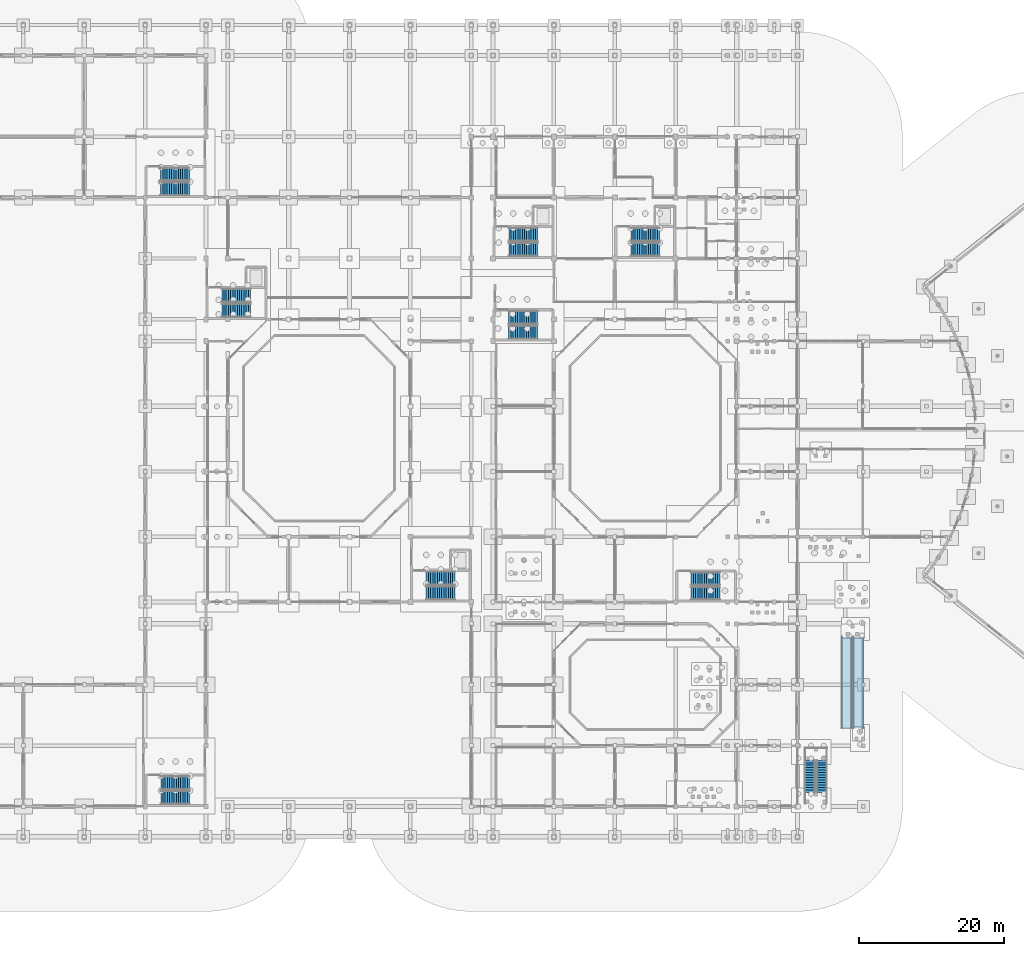
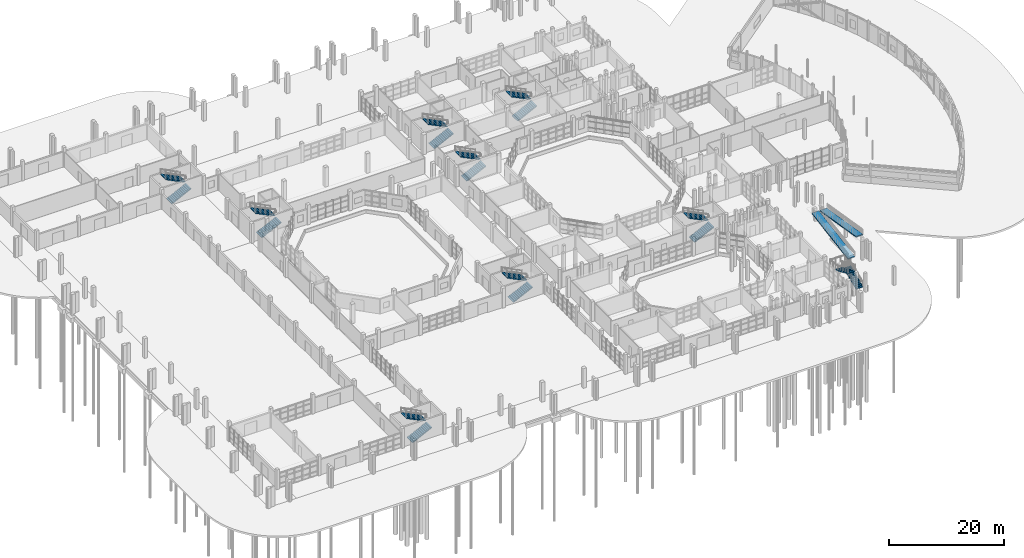
# One storey, part 67 of 88: 18 stair flights, 2 ramp flights, 10 elements without a shape of their own.
"""IFC4 building model written with IfcOpenShell, lengths in metres."""

import ifcopenshell
import ifcopenshell.guid

model = None  # the IFC model being written
_history = None  # IfcOwnerHistory: only IFC2X3 demands one
_inside = {}  # id of a spatial element -> (the spatial element, [elements in it])
_under = {}  # id of a project, library or spatial element -> (it, [spatial elements below it])
_declared = {}  # id of a project -> (the project, [libraries it declares])
_typed = {}  # id of a type object -> (the type object, [elements of that type])
_made_of = {}  # id of a material, layer set ... -> (it, [elements and type objects made of it])


def new_model(schema):
    """Start an empty IFC model of exactly this schema.

    Asked for "IFC4X3", IfcOpenShell would pick the latest addendum, in which some entities
    have other attributes; the version numbers below select the first issue.
    IFC2X3 requires an IfcOwnerHistory on every rooted entity: one is made here for all.
    """
    global model, _history
    if schema == "IFC4X3":
        model = ifcopenshell.file(schema_version=(4, 3, 0, 0))
    else:
        model = ifcopenshell.file(schema=schema)
    _inside.clear()
    _under.clear()
    _declared.clear()
    _typed.clear()
    _made_of.clear()
    _history = None
    if model.schema == "IFC2X3":
        org = make("IfcOrganization", Name="unknown")
        user = make(
            "IfcPersonAndOrganization",
            ThePerson=make("IfcPerson", FamilyName="unknown"),
            TheOrganization=org,
        )
        app = make(
            "IfcApplication",
            ApplicationDeveloper=org,
            Version="unknown",
            ApplicationFullName="unknown",
            ApplicationIdentifier="unknown",
        )
        _history = make(
            "IfcOwnerHistory",
            OwningUser=user,
            OwningApplication=app,
            ChangeAction="ADDED",
            CreationDate=0,
        )
    return model


def make(cls, **values):
    """One entity of the class cls with the attributes given. An attribute that is None is left unset."""
    return model.create_entity(
        cls, **{name: value for name, value in values.items() if value is not None}
    )


def rooted(cls, **values):
    """An entity with a GlobalId (a new one), such as an element, a storey or a relation."""
    return make(cls, GlobalId=ifcopenshell.guid.new(), OwnerHistory=_history, **values)


def si_unit(unit_type, name, prefix=None):
    """IfcSIUnit, for example si_unit("LENGTHUNIT", "METRE", prefix="MILLI")."""
    return make("IfcSIUnit", UnitType=unit_type, Prefix=prefix, Name=name)


def assignment(units):
    """IfcUnitAssignment: the units of a project."""
    return None if units is None else make("IfcUnitAssignment", Units=units)


def point(xyz):
    """IfcCartesianPoint."""
    return None if xyz is None else make("IfcCartesianPoint", Coordinates=xyz)


def direction(xyz):
    """IfcDirection."""
    return None if xyz is None else make("IfcDirection", DirectionRatios=xyz)


def frame(location, z_axis=None, x_axis=None):
    """IfcAxis2Placement3D, a coordinate frame: its origin and axes. An axis left out is left unset."""
    return make(
        "IfcAxis2Placement3D",
        Location=point(location),
        Axis=direction(z_axis),
        RefDirection=direction(x_axis),
    )


def origin():
    """The frame at (0, 0, 0) with its axes left unset."""
    return frame((0.0, 0.0, 0.0))


def place(relative_to, where):
    """IfcLocalPlacement: puts the frame where relative to a parent placement (None: the world)."""
    return make(
        "IfcLocalPlacement", PlacementRelTo=relative_to, RelativePlacement=where
    )


def context(
    kind, dimensions, precision=None, world=None, true_north=None, identifier=None
):
    """IfcGeometricRepresentationContext, for example the 3D "Model" context."""
    return make(
        "IfcGeometricRepresentationContext",
        ContextIdentifier=identifier,
        ContextType=kind,
        CoordinateSpaceDimension=dimensions,
        Precision=precision,
        WorldCoordinateSystem=world,
        TrueNorth=true_north,
    )


def subcontext(parent, identifier, kind, view, scale=None):
    """IfcGeometricRepresentationSubContext, for example "Body" below "Model"."""
    return make(
        "IfcGeometricRepresentationSubContext",
        ContextIdentifier=identifier,
        ContextType=kind,
        ParentContext=parent,
        TargetScale=scale,
        TargetView=view,
    )


def project(units=None, contexts=None):
    """IfcProject with its units and contexts."""
    return rooted(
        "IfcProject",
        Name="project",
        RepresentationContexts=contexts,
        UnitsInContext=assignment(units),
    )


def spatial(cls, under=None, at=None, **own):
    """A site, building, storey or space (cls), placed at a placement, below another one or the project."""
    s = rooted(cls, ObjectPlacement=at, **own)
    if under is not None:
        _under.setdefault(under.id(), (under, []))[1].append(s)
    return s


def polyline(points):
    """IfcPolyline through the points."""
    return make("IfcPolyline", Points=[point(p) for p in points])


def outline(outer, holes=None, kind="AREA"):
    """IfcArbitraryClosedProfileDef: a profile drawn as a closed curve; with holes, ...WithVoids."""
    if holes is None:
        return make("IfcArbitraryClosedProfileDef", ProfileType=kind, OuterCurve=outer)
    return make(
        "IfcArbitraryProfileDefWithVoids",
        ProfileType=kind,
        OuterCurve=outer,
        InnerCurves=holes,
    )


def extrude(swept, where, along, depth):
    """IfcExtrudedAreaSolid: the profile swept, set in the frame where, extruded along a direction by depth."""
    return make(
        "IfcExtrudedAreaSolid",
        SweptArea=swept,
        Position=where,
        ExtrudedDirection=direction(along),
        Depth=depth,
    )


def shape(context_of_items, identifier, shape_type, items):
    """IfcShapeRepresentation: the items that make up one representation, for example the "Body"."""
    return make(
        "IfcShapeRepresentation",
        ContextOfItems=context_of_items,
        RepresentationIdentifier=identifier,
        RepresentationType=shape_type,
        Items=items,
    )


def material(Name=None, Category=None):
    """IfcMaterial."""
    return make("IfcMaterial", Name=Name, Category=Category)


def layer(
    of_material, thickness, ventilated=None, Name=None, Category=None, Priority=None
):
    """IfcMaterialLayer: one layer of a wall or slab, of a material (None: an air gap)."""
    return make(
        "IfcMaterialLayer",
        Material=of_material,
        LayerThickness=thickness,
        IsVentilated=ventilated,
        Name=Name,
        Category=Category,
        Priority=Priority,
    )


def layer_set(layers, Name=None):
    """IfcMaterialLayerSet."""
    return make("IfcMaterialLayerSet", MaterialLayers=layers, LayerSetName=Name)


def made_of(thing, what):
    """Note that an element or type object is made of a material, layer set ...; save() writes the relation."""
    if what is not None:
        _made_of.setdefault(what.id(), (what, []))[1].append(thing)
    return thing


def type_object(cls, material=None, **own):
    """A type object (cls), such as IfcWallType, which elements share."""
    return made_of(rooted(cls, **own), material)


def element(
    cls,
    number,
    at=None,
    inside=None,
    cuts=None,
    type_object=None,
    material=None,
    context=None,
    identifier="Body",
    shape_type=None,
    held_by="IfcProductDefinitionShape",
    body=None,
    shapes=None,
    **own,
):
    """One element of the class cls, such as IfcWall. Its Tag is "e" and its number.

    at: its placement. inside: the storey or other place that contains it. cuts: it is an
    opening in that element (IfcRelVoidsElement). A single representation is given by context,
    identifier, shape_type and body (its items); several are given by shapes. held_by: the class
    of the entity that holds the representations. save() writes the other relations.
    """
    e = rooted(cls, Tag="e%d" % number, ObjectPlacement=at, **own)
    if body is not None:
        shapes = [shape(context, identifier, shape_type, body)]
    if shapes is not None:
        e.Representation = make(held_by, Representations=shapes)
    if inside is not None:
        _inside.setdefault(inside.id(), (inside, []))[1].append(e)
    if cuts is not None:
        rooted(
            "IfcRelVoidsElement", RelatingBuildingElement=cuts, RelatedOpeningElement=e
        )
    if type_object is not None:
        _typed.setdefault(type_object.id(), (type_object, []))[1].append(e)
    return made_of(e, material)


def aggregate(whole, parts):
    """IfcRelAggregates: a whole, such as a stair, and the parts it consists of."""
    return rooted("IfcRelAggregates", RelatingObject=whole, RelatedObjects=parts)


def save(model, path):
    """Write the relations noted so far, then the file.

    IfcRelAggregates (storeys below a building ...), IfcRelContainedInSpatialStructure (elements
    in a storey), IfcRelDefinesByType, IfcRelAssociatesMaterial and IfcRelDeclares: one each for
    every whole, place, type object, material and project.
    """
    for whole, parts in _under.values():
        aggregate(whole, parts)
    for where, things in _inside.values():
        rooted(
            "IfcRelContainedInSpatialStructure",
            RelatedElements=things,
            RelatingStructure=where,
        )
    for kind, things in _typed.values():
        rooted("IfcRelDefinesByType", RelatedObjects=things, RelatingType=kind)
    for what, things in _made_of.values():
        rooted("IfcRelAssociatesMaterial", RelatedObjects=things, RelatingMaterial=what)
    for by, libraries in _declared.values():
        rooted("IfcRelDeclares", RelatingContext=by, RelatedDefinitions=libraries)
    model.write(path)


model = new_model("IFC4")

# Units and contexts
model_context = context("Model", 3, precision=1e-05, world=origin(), true_north=direction((0.0, 1.0)))
body_context = subcontext(model_context, "Body", "Model", "MODEL_VIEW")
ifc_project = project(units=[si_unit("LENGTHUNIT", "METRE"), si_unit("AREAUNIT", "SQUARE_METRE"), si_unit("VOLUMEUNIT", "CUBIC_METRE"), si_unit("PLANEANGLEUNIT", "RADIAN"), si_unit("MASSUNIT", "GRAM", prefix="KILO")], contexts=[model_context])

# Site, building, storey
site_placement = place(None, origin())
site = spatial("IfcSite", under=ifc_project, at=site_placement, CompositionType="ELEMENT")
building_placement = place(site_placement, origin())
building = spatial("IfcBuilding", under=site, at=building_placement, Name="Vanh Quang Courtyard School", CompositionType="ELEMENT")
storey_placement = place(building_placement, origin())
storey = spatial("IfcBuildingStorey", under=building, at=storey_placement, Name="L00", CompositionType="ELEMENT", Elevation=0.0)

# Stair, stair flights
ifc_material = material(Name="Concrete C30/37", Category="concrete")
stair_type_1 = type_object("IfcStairType", Name="STR-CORE-1450", PredefinedType="HALF_TURN_STAIR", material=ifc_material)
stair_1_placement = place(storey_placement, origin())
stair_1 = element("IfcStair", 1, at=stair_1_placement, inside=storey, type_object=stair_type_1, Name="L00 ST-T1", PredefinedType="HALF_TURN_STAIR")
stair_flight_type_1 = type_object("IfcStairFlightType", Name="FLT-CORE-1450", PredefinedType="STRAIGHT", material=ifc_material)
stair_flight_1_placement = place(storey_placement, frame((122.77490234375, 6.14990234375, 0.0), z_axis=(0.0, 0.0, 1.0), x_axis=(0.0, 1.0, 0.0)))
stair_flight_1 = element("IfcStairFlight", 2, at=stair_flight_1_placement, type_object=stair_flight_type_1, Name="ST-T1 flight 1", NumberOfRisers=14, NumberOfTreads=13, PredefinedType="STRAIGHT", RiserHeight=0.15, TreadLength=0.34, context=body_context, shape_type="SweptSolid", body=[
    extrude(outline(polyline([(0.0, 0.0), (0.0, 0.14990234375), (0.340087890625, 0.14990234375), (0.340087890625, 0.300048828125), (0.679931640625, 0.300048828125), (0.679931640625, 0.449951171875), (1.02001953125, 0.449951171875), (1.02001953125, 0.60009765625), (1.360107421875, 0.60009765625), (1.360107421875, 0.75), (1.699951171875, 0.75), (1.699951171875, 0.89990234375), (2.0400390625, 0.89990234375), (2.0400390625, 1.050048828125), (2.3798828125, 1.050048828125), (2.3798828125, 1.199951171875), (2.719970703125, 1.199951171875), (2.719970703125, 1.35009765625), (3.06005859375, 1.35009765625), (3.06005859375, 1.5), (3.39990234375, 1.5), (3.39990234375, 1.64990234375), (3.739990234375, 1.64990234375), (3.739990234375, 1.800048828125), (4.080078125, 1.800048828125), (4.080078125, 1.949951171875), (4.419921875, 1.949951171875), (4.419921875, 2.10009765625), (4.419921875, 1.7861328125), (0.371337890625, 0.0), (0.0, 0.0)])), frame((0.0, 0.72509765625, 0.0), z_axis=(0.0, -1.0, 0.0), x_axis=(1.0, 0.0, 0.0)), (0.0, 0.0, 1.0), 1.449951171875),
])
stair_flight_2_placement = place(storey_placement, frame((121.125, 10.570068359375, 2.10009765625), z_axis=(0.0, 0.0, 1.0), x_axis=(0.0, -1.0, 0.0)))
stair_flight_2 = element("IfcStairFlight", 3, at=stair_flight_2_placement, type_object=stair_flight_type_1, Name="ST-T1 flight 2", NumberOfRisers=14, NumberOfTreads=13, PredefinedType="STRAIGHT", RiserHeight=0.15, TreadLength=0.34, context=body_context, shape_type="SweptSolid", body=[
    extrude(outline(polyline([(0.0, 0.0), (0.0, 0.14990234375), (0.340087890625, 0.14990234375), (0.340087890625, 0.300048828125), (0.679931640625, 0.300048828125), (0.679931640625, 0.449951171875), (1.02001953125, 0.449951171875), (1.02001953125, 0.60009765625), (1.360107421875, 0.60009765625), (1.360107421875, 0.75), (1.699951171875, 0.75), (1.699951171875, 0.89990234375), (2.0400390625, 0.89990234375), (2.0400390625, 1.050048828125), (2.3798828125, 1.050048828125), (2.3798828125, 1.199951171875), (2.719970703125, 1.199951171875), (2.719970703125, 1.35009765625), (3.06005859375, 1.35009765625), (3.06005859375, 1.5), (3.39990234375, 1.5), (3.39990234375, 1.64990234375), (3.739990234375, 1.64990234375), (3.739990234375, 1.800048828125), (4.080078125, 1.800048828125), (4.080078125, 1.949951171875), (4.419921875, 1.949951171875), (4.419921875, 2.10009765625), (4.419921875, 1.7861328125), (0.371337890625, 0.0), (0.0, 0.0)])), frame((0.0, 0.72509765625, 0.0), z_axis=(0.0, -1.0, 0.0), x_axis=(1.0, 0.0, 0.0)), (0.0, 0.0, 1.0), 1.449951171875),
])
aggregate(stair_1, [stair_flight_1, stair_flight_2])

stair_type_2 = type_object("IfcStairType", Name="STR-CORE-1850", PredefinedType="HALF_TURN_STAIR", material=ifc_material)
stair_2_placement = place(storey_placement, origin())
stair_2 = element("IfcStair", 4, at=stair_2_placement, inside=storey, type_object=stair_type_2, Name="L00 ST-07", PredefinedType="HALF_TURN_STAIR")
stair_flight_type_2 = type_object("IfcStairFlightType", Name="FLT-CORE-1850", PredefinedType="STRAIGHT", material=ifc_material)
stair_flight_3_placement = place(storey_placement, frame((31.530029296875, 89.405029296875, 0.0), z_axis=(0.0, 0.0, 1.0), x_axis=(1.0, 0.0, 0.0)))
stair_flight_3 = element("IfcStairFlight", 5, at=stair_flight_3_placement, type_object=stair_flight_type_2, Name="ST-07 flight 1", NumberOfRisers=14, NumberOfTreads=13, PredefinedType="STRAIGHT", RiserHeight=0.15, TreadLength=0.305, context=body_context, shape_type="SweptSolid", body=[
    extrude(outline(polyline([(0.0, 0.0), (0.0, 0.14990234375), (0.304931640625, 0.14990234375), (0.304931640625, 0.300048828125), (0.610107421875, 0.300048828125), (0.610107421875, 0.449951171875), (0.9150390625, 0.449951171875), (0.9150390625, 0.60009765625), (1.219970703125, 0.60009765625), (1.219970703125, 0.75), (1.52490234375, 0.75), (1.52490234375, 0.89990234375), (1.830078125, 0.89990234375), (1.830078125, 1.050048828125), (2.135009765625, 1.050048828125), (2.135009765625, 1.199951171875), (2.43994140625, 1.199951171875), (2.43994140625, 1.35009765625), (2.7451171875, 1.35009765625), (2.7451171875, 1.5), (3.050048828125, 1.5), (3.050048828125, 1.64990234375), (3.35498046875, 1.64990234375), (3.35498046875, 1.800048828125), (3.659912109375, 1.800048828125), (3.659912109375, 1.949951171875), (3.965087890625, 1.949951171875), (3.965087890625, 2.10009765625), (3.965087890625, 1.782958984375), (0.339599609375, 0.0), (0.0, 0.0)])), frame((0.0, 0.925048828125, 0.0), z_axis=(0.0, -1.0, 0.0), x_axis=(1.0, 0.0, 0.0)), (0.0, 0.0, 1.0), 1.85009765625),
])
stair_flight_4_placement = place(storey_placement, frame((35.4951171875, 91.4150390625, 2.10009765625), z_axis=(0.0, 0.0, 1.0), x_axis=(-1.0, 0.0, 0.0)))
stair_flight_4 = element("IfcStairFlight", 6, at=stair_flight_4_placement, type_object=stair_flight_type_2, Name="ST-07 flight 2", NumberOfRisers=14, NumberOfTreads=13, PredefinedType="STRAIGHT", RiserHeight=0.15, TreadLength=0.305, context=body_context, shape_type="SweptSolid", body=[
    extrude(outline(polyline([(0.0, 0.0), (0.0, 0.14990234375), (0.304931640625, 0.14990234375), (0.304931640625, 0.300048828125), (0.610107421875, 0.300048828125), (0.610107421875, 0.449951171875), (0.9150390625, 0.449951171875), (0.9150390625, 0.60009765625), (1.219970703125, 0.60009765625), (1.219970703125, 0.75), (1.52490234375, 0.75), (1.52490234375, 0.89990234375), (1.830078125, 0.89990234375), (1.830078125, 1.050048828125), (2.135009765625, 1.050048828125), (2.135009765625, 1.199951171875), (2.43994140625, 1.199951171875), (2.43994140625, 1.35009765625), (2.7451171875, 1.35009765625), (2.7451171875, 1.5), (3.050048828125, 1.5), (3.050048828125, 1.64990234375), (3.35498046875, 1.64990234375), (3.35498046875, 1.800048828125), (3.659912109375, 1.800048828125), (3.659912109375, 1.949951171875), (3.965087890625, 1.949951171875), (3.965087890625, 2.10009765625), (3.965087890625, 1.782958984375), (0.339599609375, 0.0), (0.0, 0.0)])), frame((0.0, 0.925048828125, 0.0), z_axis=(0.0, -1.0, 0.0), x_axis=(1.0, 0.0, 0.0)), (0.0, 0.0, 1.0), 1.85009765625),
])
aggregate(stair_2, [stair_flight_3, stair_flight_4])

stair_3_placement = place(storey_placement, origin())
stair_3 = element("IfcStair", 7, at=stair_3_placement, inside=storey, type_object=stair_type_2, Name="L00 ST-08", PredefinedType="HALF_TURN_STAIR")
stair_flight_5_placement = place(storey_placement, frame((104.72998046875, 33.60498046875, 0.0), z_axis=(0.0, 0.0, 1.0), x_axis=(1.0, 0.0, 0.0)))
stair_flight_5 = element("IfcStairFlight", 8, at=stair_flight_5_placement, type_object=stair_flight_type_2, Name="ST-08 flight 1", NumberOfRisers=14, NumberOfTreads=13, PredefinedType="STRAIGHT", RiserHeight=0.15, TreadLength=0.305, context=body_context, shape_type="SweptSolid", body=[
    extrude(outline(polyline([(0.0, 0.0), (0.0, 0.14990234375), (0.304931640625, 0.14990234375), (0.304931640625, 0.300048828125), (0.610107421875, 0.300048828125), (0.610107421875, 0.449951171875), (0.9150390625, 0.449951171875), (0.9150390625, 0.60009765625), (1.219970703125, 0.60009765625), (1.219970703125, 0.75), (1.52490234375, 0.75), (1.52490234375, 0.89990234375), (1.830078125, 0.89990234375), (1.830078125, 1.050048828125), (2.135009765625, 1.050048828125), (2.135009765625, 1.199951171875), (2.43994140625, 1.199951171875), (2.43994140625, 1.35009765625), (2.7451171875, 1.35009765625), (2.7451171875, 1.5), (3.050048828125, 1.5), (3.050048828125, 1.64990234375), (3.35498046875, 1.64990234375), (3.35498046875, 1.800048828125), (3.659912109375, 1.800048828125), (3.659912109375, 1.949951171875), (3.965087890625, 1.949951171875), (3.965087890625, 2.10009765625), (3.965087890625, 1.782958984375), (0.339599609375, 0.0), (0.0, 0.0)])), frame((0.0, 0.925048828125, 0.0), z_axis=(0.0, -1.0, 0.0), x_axis=(1.0, 0.0, 0.0)), (0.0, 0.0, 1.0), 1.85009765625),
])
stair_flight_6_placement = place(storey_placement, frame((108.695068359375, 35.614990234375, 2.10009765625), z_axis=(0.0, 0.0, 1.0), x_axis=(-1.0, 0.0, 0.0)))
stair_flight_6 = element("IfcStairFlight", 9, at=stair_flight_6_placement, type_object=stair_flight_type_2, Name="ST-08 flight 2", NumberOfRisers=14, NumberOfTreads=13, PredefinedType="STRAIGHT", RiserHeight=0.15, TreadLength=0.305, context=body_context, shape_type="SweptSolid", body=[
    extrude(outline(polyline([(0.0, 0.0), (0.0, 0.14990234375), (0.304931640625, 0.14990234375), (0.304931640625, 0.300048828125), (0.610107421875, 0.300048828125), (0.610107421875, 0.449951171875), (0.9150390625, 0.449951171875), (0.9150390625, 0.60009765625), (1.219970703125, 0.60009765625), (1.219970703125, 0.75), (1.52490234375, 0.75), (1.52490234375, 0.89990234375), (1.830078125, 0.89990234375), (1.830078125, 1.050048828125), (2.135009765625, 1.050048828125), (2.135009765625, 1.199951171875), (2.43994140625, 1.199951171875), (2.43994140625, 1.35009765625), (2.7451171875, 1.35009765625), (2.7451171875, 1.5), (3.050048828125, 1.5), (3.050048828125, 1.64990234375), (3.35498046875, 1.64990234375), (3.35498046875, 1.800048828125), (3.659912109375, 1.800048828125), (3.659912109375, 1.949951171875), (3.965087890625, 1.949951171875), (3.965087890625, 2.10009765625), (3.965087890625, 1.782958984375), (0.339599609375, 0.0), (0.0, 0.0)])), frame((0.0, 0.925048828125, 0.0), z_axis=(0.0, -1.0, 0.0), x_axis=(1.0, 0.0, 0.0)), (0.0, 0.0, 1.0), 1.85009765625),
])
aggregate(stair_3, [stair_flight_5, stair_flight_6])

stair_type_3 = type_object("IfcStairType", Name="STR-CORE-1880", PredefinedType="HALF_TURN_STAIR", material=ifc_material)
stair_4_placement = place(storey_placement, origin())
stair_4 = element("IfcStair", 10, at=stair_4_placement, inside=storey, type_object=stair_type_3, Name="L00 ST-05", PredefinedType="HALF_TURN_STAIR")
stair_flight_type_3 = type_object("IfcStairFlightType", Name="FLT-CORE-1880", PredefinedType="STRAIGHT", material=ifc_material)
stair_flight_7_placement = place(storey_placement, frame((79.56005859375, 69.6201171875, 0.0), z_axis=(0.0, 0.0, 1.0), x_axis=(1.0, 0.0, 0.0)))
stair_flight_7 = element("IfcStairFlight", 11, at=stair_flight_7_placement, type_object=stair_flight_type_3, Name="ST-05 flight 1", NumberOfRisers=14, NumberOfTreads=13, PredefinedType="STRAIGHT", RiserHeight=0.15, TreadLength=0.305, context=body_context, shape_type="SweptSolid", body=[
    extrude(outline(polyline([(0.0, 0.0), (0.0, 0.14990234375), (0.304931640625, 0.14990234375), (0.304931640625, 0.300048828125), (0.610107421875, 0.300048828125), (0.610107421875, 0.449951171875), (0.9150390625, 0.449951171875), (0.9150390625, 0.60009765625), (1.219970703125, 0.60009765625), (1.219970703125, 0.75), (1.52490234375, 0.75), (1.52490234375, 0.89990234375), (1.830078125, 0.89990234375), (1.830078125, 1.050048828125), (2.135009765625, 1.050048828125), (2.135009765625, 1.199951171875), (2.43994140625, 1.199951171875), (2.43994140625, 1.35009765625), (2.7451171875, 1.35009765625), (2.7451171875, 1.5), (3.050048828125, 1.5), (3.050048828125, 1.64990234375), (3.35498046875, 1.64990234375), (3.35498046875, 1.800048828125), (3.659912109375, 1.800048828125), (3.659912109375, 1.949951171875), (3.965087890625, 1.949951171875), (3.965087890625, 2.10009765625), (3.965087890625, 1.782958984375), (0.339599609375, 0.0), (0.0, 0.0)])), frame((0.0, 0.93994140625, 0.0), z_axis=(0.0, -1.0, 0.0), x_axis=(1.0, 0.0, 0.0)), (0.0, 0.0, 1.0), 1.8798828125),
])
stair_flight_8_placement = place(storey_placement, frame((83.52490234375, 71.659912109375, 2.10009765625), z_axis=(0.0, 0.0, 1.0), x_axis=(-1.0, 0.0, 0.0)))
stair_flight_8 = element("IfcStairFlight", 12, at=stair_flight_8_placement, type_object=stair_flight_type_3, Name="ST-05 flight 2", NumberOfRisers=14, NumberOfTreads=13, PredefinedType="STRAIGHT", RiserHeight=0.15, TreadLength=0.305, context=body_context, shape_type="SweptSolid", body=[
    extrude(outline(polyline([(0.0, 0.0), (0.0, 0.14990234375), (0.304931640625, 0.14990234375), (0.304931640625, 0.300048828125), (0.610107421875, 0.300048828125), (0.610107421875, 0.449951171875), (0.9150390625, 0.449951171875), (0.9150390625, 0.60009765625), (1.219970703125, 0.60009765625), (1.219970703125, 0.75), (1.52490234375, 0.75), (1.52490234375, 0.89990234375), (1.830078125, 0.89990234375), (1.830078125, 1.050048828125), (2.135009765625, 1.050048828125), (2.135009765625, 1.199951171875), (2.43994140625, 1.199951171875), (2.43994140625, 1.35009765625), (2.7451171875, 1.35009765625), (2.7451171875, 1.5), (3.050048828125, 1.5), (3.050048828125, 1.64990234375), (3.35498046875, 1.64990234375), (3.35498046875, 1.800048828125), (3.659912109375, 1.800048828125), (3.659912109375, 1.949951171875), (3.965087890625, 1.949951171875), (3.965087890625, 2.10009765625), (3.965087890625, 1.782958984375), (0.339599609375, 0.0), (0.0, 0.0)])), frame((0.0, 0.93994140625, 0.0), z_axis=(0.0, -1.0, 0.0), x_axis=(1.0, 0.0, 0.0)), (0.0, 0.0, 1.0), 1.8798828125),
])
aggregate(stair_4, [stair_flight_7, stair_flight_8])

stair_5_placement = place(storey_placement, origin())
stair_5 = element("IfcStair", 13, at=stair_5_placement, inside=storey, type_object=stair_type_3, Name="L00 ST-06", PredefinedType="HALF_TURN_STAIR")
stair_flight_9_placement = place(storey_placement, frame((31.56005859375, 5.419921875, 0.0), z_axis=(0.0, 0.0, 1.0), x_axis=(1.0, 0.0, 0.0)))
stair_flight_9 = element("IfcStairFlight", 14, at=stair_flight_9_placement, type_object=stair_flight_type_3, Name="ST-06 flight 1", NumberOfRisers=14, NumberOfTreads=13, PredefinedType="STRAIGHT", RiserHeight=0.15, TreadLength=0.305, context=body_context, shape_type="SweptSolid", body=[
    extrude(outline(polyline([(0.0, 0.0), (0.0, 0.14990234375), (0.304931640625, 0.14990234375), (0.304931640625, 0.300048828125), (0.610107421875, 0.300048828125), (0.610107421875, 0.449951171875), (0.9150390625, 0.449951171875), (0.9150390625, 0.60009765625), (1.219970703125, 0.60009765625), (1.219970703125, 0.75), (1.52490234375, 0.75), (1.52490234375, 0.89990234375), (1.830078125, 0.89990234375), (1.830078125, 1.050048828125), (2.135009765625, 1.050048828125), (2.135009765625, 1.199951171875), (2.43994140625, 1.199951171875), (2.43994140625, 1.35009765625), (2.7451171875, 1.35009765625), (2.7451171875, 1.5), (3.050048828125, 1.5), (3.050048828125, 1.64990234375), (3.35498046875, 1.64990234375), (3.35498046875, 1.800048828125), (3.659912109375, 1.800048828125), (3.659912109375, 1.949951171875), (3.965087890625, 1.949951171875), (3.965087890625, 2.10009765625), (3.965087890625, 1.782958984375), (0.339599609375, 0.0), (0.0, 0.0)])), frame((0.0, 0.93994140625, 0.0), z_axis=(0.0, -1.0, 0.0), x_axis=(1.0, 0.0, 0.0)), (0.0, 0.0, 1.0), 1.8798828125),
])
stair_flight_10_placement = place(storey_placement, frame((35.52490234375, 7.4599609375, 2.10009765625), z_axis=(0.0, 0.0, 1.0), x_axis=(-1.0, 0.0, 0.0)))
stair_flight_10 = element("IfcStairFlight", 15, at=stair_flight_10_placement, type_object=stair_flight_type_3, Name="ST-06 flight 2", NumberOfRisers=14, NumberOfTreads=13, PredefinedType="STRAIGHT", RiserHeight=0.15, TreadLength=0.305, context=body_context, shape_type="SweptSolid", body=[
    extrude(outline(polyline([(0.0, 0.0), (0.0, 0.14990234375), (0.304931640625, 0.14990234375), (0.304931640625, 0.300048828125), (0.610107421875, 0.300048828125), (0.610107421875, 0.449951171875), (0.9150390625, 0.449951171875), (0.9150390625, 0.60009765625), (1.219970703125, 0.60009765625), (1.219970703125, 0.75), (1.52490234375, 0.75), (1.52490234375, 0.89990234375), (1.830078125, 0.89990234375), (1.830078125, 1.050048828125), (2.135009765625, 1.050048828125), (2.135009765625, 1.199951171875), (2.43994140625, 1.199951171875), (2.43994140625, 1.35009765625), (2.7451171875, 1.35009765625), (2.7451171875, 1.5), (3.050048828125, 1.5), (3.050048828125, 1.64990234375), (3.35498046875, 1.64990234375), (3.35498046875, 1.800048828125), (3.659912109375, 1.800048828125), (3.659912109375, 1.949951171875), (3.965087890625, 1.949951171875), (3.965087890625, 2.10009765625), (3.965087890625, 1.782958984375), (0.339599609375, 0.0), (0.0, 0.0)])), frame((0.0, 0.93994140625, 0.0), z_axis=(0.0, -1.0, 0.0), x_axis=(1.0, 0.0, 0.0)), (0.0, 0.0, 1.0), 1.8798828125),
])
aggregate(stair_5, [stair_flight_9, stair_flight_10])

stair_type_4 = type_object("IfcStairType", Name="STR-CORE-1900", PredefinedType="HALF_TURN_STAIR", material=ifc_material)
stair_6_placement = place(storey_placement, origin())
stair_6 = element("IfcStair", 16, at=stair_6_placement, inside=storey, type_object=stair_type_4, Name="L00 ST-03", PredefinedType="HALF_TURN_STAIR")
stair_flight_type_4 = type_object("IfcStairFlightType", Name="FLT-CORE-1900", PredefinedType="STRAIGHT", material=ifc_material)
stair_flight_11_placement = place(storey_placement, frame((39.97998046875, 72.6298828125, 0.0), z_axis=(0.0, 0.0, 1.0), x_axis=(1.0, 0.0, 0.0)))
stair_flight_11 = element("IfcStairFlight", 17, at=stair_flight_11_placement, type_object=stair_flight_type_4, Name="ST-03 flight 1", NumberOfRisers=14, NumberOfTreads=13, PredefinedType="STRAIGHT", RiserHeight=0.15, TreadLength=0.305, context=body_context, shape_type="SweptSolid", body=[
    extrude(outline(polyline([(0.0, 0.0), (0.0, 0.14990234375), (0.304931640625, 0.14990234375), (0.304931640625, 0.300048828125), (0.610107421875, 0.300048828125), (0.610107421875, 0.449951171875), (0.9150390625, 0.449951171875), (0.9150390625, 0.60009765625), (1.219970703125, 0.60009765625), (1.219970703125, 0.75), (1.52490234375, 0.75), (1.52490234375, 0.89990234375), (1.830078125, 0.89990234375), (1.830078125, 1.050048828125), (2.135009765625, 1.050048828125), (2.135009765625, 1.199951171875), (2.43994140625, 1.199951171875), (2.43994140625, 1.35009765625), (2.7451171875, 1.35009765625), (2.7451171875, 1.5), (3.050048828125, 1.5), (3.050048828125, 1.64990234375), (3.35498046875, 1.64990234375), (3.35498046875, 1.800048828125), (3.659912109375, 1.800048828125), (3.659912109375, 1.949951171875), (3.965087890625, 1.949951171875), (3.965087890625, 2.10009765625), (3.965087890625, 1.782958984375), (0.339599609375, 0.0), (0.0, 0.0)])), frame((0.0, 0.949951171875, 0.0), z_axis=(0.0, -1.0, 0.0), x_axis=(1.0, 0.0, 0.0)), (0.0, 0.0, 1.0), 1.89990234375),
])
stair_flight_12_placement = place(storey_placement, frame((43.945068359375, 74.68994140625, 2.10009765625), z_axis=(0.0, 0.0, 1.0), x_axis=(-1.0, 0.0, 0.0)))
stair_flight_12 = element("IfcStairFlight", 18, at=stair_flight_12_placement, type_object=stair_flight_type_4, Name="ST-03 flight 2", NumberOfRisers=14, NumberOfTreads=13, PredefinedType="STRAIGHT", RiserHeight=0.15, TreadLength=0.305, context=body_context, shape_type="SweptSolid", body=[
    extrude(outline(polyline([(0.0, 0.0), (0.0, 0.14990234375), (0.304931640625, 0.14990234375), (0.304931640625, 0.300048828125), (0.610107421875, 0.300048828125), (0.610107421875, 0.449951171875), (0.9150390625, 0.449951171875), (0.9150390625, 0.60009765625), (1.219970703125, 0.60009765625), (1.219970703125, 0.75), (1.52490234375, 0.75), (1.52490234375, 0.89990234375), (1.830078125, 0.89990234375), (1.830078125, 1.050048828125), (2.135009765625, 1.050048828125), (2.135009765625, 1.199951171875), (2.43994140625, 1.199951171875), (2.43994140625, 1.35009765625), (2.7451171875, 1.35009765625), (2.7451171875, 1.5), (3.050048828125, 1.5), (3.050048828125, 1.64990234375), (3.35498046875, 1.64990234375), (3.35498046875, 1.800048828125), (3.659912109375, 1.800048828125), (3.659912109375, 1.949951171875), (3.965087890625, 1.949951171875), (3.965087890625, 2.10009765625), (3.965087890625, 1.782958984375), (0.339599609375, 0.0), (0.0, 0.0)])), frame((0.0, 0.949951171875, 0.0), z_axis=(0.0, -1.0, 0.0), x_axis=(1.0, 0.0, 0.0)), (0.0, 0.0, 1.0), 1.89990234375),
])
aggregate(stair_6, [stair_flight_11, stair_flight_12])

stair_7_placement = place(storey_placement, origin())
stair_7 = element("IfcStair", 19, at=stair_7_placement, inside=storey, type_object=stair_type_4, Name="L00 ST-04", PredefinedType="HALF_TURN_STAIR")
stair_flight_13_placement = place(storey_placement, frame((68.179931640625, 33.6298828125, 0.0), z_axis=(0.0, 0.0, 1.0), x_axis=(1.0, 0.0, 0.0)))
stair_flight_13 = element("IfcStairFlight", 20, at=stair_flight_13_placement, type_object=stair_flight_type_4, Name="ST-04 flight 1", NumberOfRisers=14, NumberOfTreads=13, PredefinedType="STRAIGHT", RiserHeight=0.15, TreadLength=0.305, context=body_context, shape_type="SweptSolid", body=[
    extrude(outline(polyline([(0.0, 0.0), (0.0, 0.14990234375), (0.304931640625, 0.14990234375), (0.304931640625, 0.300048828125), (0.610107421875, 0.300048828125), (0.610107421875, 0.449951171875), (0.9150390625, 0.449951171875), (0.9150390625, 0.60009765625), (1.219970703125, 0.60009765625), (1.219970703125, 0.75), (1.52490234375, 0.75), (1.52490234375, 0.89990234375), (1.830078125, 0.89990234375), (1.830078125, 1.050048828125), (2.135009765625, 1.050048828125), (2.135009765625, 1.199951171875), (2.43994140625, 1.199951171875), (2.43994140625, 1.35009765625), (2.7451171875, 1.35009765625), (2.7451171875, 1.5), (3.050048828125, 1.5), (3.050048828125, 1.64990234375), (3.35498046875, 1.64990234375), (3.35498046875, 1.800048828125), (3.659912109375, 1.800048828125), (3.659912109375, 1.949951171875), (3.965087890625, 1.949951171875), (3.965087890625, 2.10009765625), (3.965087890625, 1.782958984375), (0.339599609375, 0.0), (0.0, 0.0)])), frame((0.0, 0.949951171875, 0.0), z_axis=(0.0, -1.0, 0.0), x_axis=(1.0, 0.0, 0.0)), (0.0, 0.0, 1.0), 1.89990234375),
])
stair_flight_14_placement = place(storey_placement, frame((72.14501953125, 35.68994140625, 2.10009765625), z_axis=(0.0, 0.0, 1.0), x_axis=(-1.0, 0.0, 0.0)))
stair_flight_14 = element("IfcStairFlight", 21, at=stair_flight_14_placement, type_object=stair_flight_type_4, Name="ST-04 flight 2", NumberOfRisers=14, NumberOfTreads=13, PredefinedType="STRAIGHT", RiserHeight=0.15, TreadLength=0.305, context=body_context, shape_type="SweptSolid", body=[
    extrude(outline(polyline([(0.0, 0.0), (0.0, 0.14990234375), (0.304931640625, 0.14990234375), (0.304931640625, 0.300048828125), (0.610107421875, 0.300048828125), (0.610107421875, 0.449951171875), (0.9150390625, 0.449951171875), (0.9150390625, 0.60009765625), (1.219970703125, 0.60009765625), (1.219970703125, 0.75), (1.52490234375, 0.75), (1.52490234375, 0.89990234375), (1.830078125, 0.89990234375), (1.830078125, 1.050048828125), (2.135009765625, 1.050048828125), (2.135009765625, 1.199951171875), (2.43994140625, 1.199951171875), (2.43994140625, 1.35009765625), (2.7451171875, 1.35009765625), (2.7451171875, 1.5), (3.050048828125, 1.5), (3.050048828125, 1.64990234375), (3.35498046875, 1.64990234375), (3.35498046875, 1.800048828125), (3.659912109375, 1.800048828125), (3.659912109375, 1.949951171875), (3.965087890625, 1.949951171875), (3.965087890625, 2.10009765625), (3.965087890625, 1.782958984375), (0.339599609375, 0.0), (0.0, 0.0)])), frame((0.0, 0.949951171875, 0.0), z_axis=(0.0, -1.0, 0.0), x_axis=(1.0, 0.0, 0.0)), (0.0, 0.0, 1.0), 1.89990234375),
])
aggregate(stair_7, [stair_flight_13, stair_flight_14])

stair_type_5 = type_object("IfcStairType", Name="STR-CORE-1920", PredefinedType="HALF_TURN_STAIR", material=ifc_material)
stair_8_placement = place(storey_placement, origin())
stair_8 = element("IfcStair", 22, at=stair_8_placement, inside=storey, type_object=stair_type_5, Name="L00 ST-01", PredefinedType="HALF_TURN_STAIR")
stair_flight_type_5 = type_object("IfcStairFlightType", Name="FLT-CORE-1920", PredefinedType="STRAIGHT", material=ifc_material)
stair_flight_15_placement = place(storey_placement, frame((79.60009765625, 81.0400390625, 0.0), z_axis=(0.0, 0.0, 1.0), x_axis=(1.0, 0.0, 0.0)))
stair_flight_15 = element("IfcStairFlight", 23, at=stair_flight_15_placement, type_object=stair_flight_type_5, Name="ST-01 flight 1", NumberOfRisers=14, NumberOfTreads=13, PredefinedType="STRAIGHT", RiserHeight=0.15, TreadLength=0.305, context=body_context, shape_type="SweptSolid", body=[
    extrude(outline(polyline([(0.0, 0.0), (0.0, 0.14990234375), (0.304931640625, 0.14990234375), (0.304931640625, 0.300048828125), (0.610107421875, 0.300048828125), (0.610107421875, 0.449951171875), (0.9150390625, 0.449951171875), (0.9150390625, 0.60009765625), (1.219970703125, 0.60009765625), (1.219970703125, 0.75), (1.52490234375, 0.75), (1.52490234375, 0.89990234375), (1.830078125, 0.89990234375), (1.830078125, 1.050048828125), (2.135009765625, 1.050048828125), (2.135009765625, 1.199951171875), (2.43994140625, 1.199951171875), (2.43994140625, 1.35009765625), (2.7451171875, 1.35009765625), (2.7451171875, 1.5), (3.050048828125, 1.5), (3.050048828125, 1.64990234375), (3.35498046875, 1.64990234375), (3.35498046875, 1.800048828125), (3.659912109375, 1.800048828125), (3.659912109375, 1.949951171875), (3.965087890625, 1.949951171875), (3.965087890625, 2.10009765625), (3.965087890625, 1.782958984375), (0.339599609375, 0.0), (0.0, 0.0)])), frame((0.0, 0.9599609375, 0.0), z_axis=(0.0, -1.0, 0.0), x_axis=(1.0, 0.0, 0.0)), (0.0, 0.0, 1.0), 1.919921875),
])
stair_flight_16_placement = place(storey_placement, frame((83.56494140625, 83.1201171875, 2.10009765625), z_axis=(0.0, 0.0, 1.0), x_axis=(-1.0, 0.0, 0.0)))
stair_flight_16 = element("IfcStairFlight", 24, at=stair_flight_16_placement, type_object=stair_flight_type_5, Name="ST-01 flight 2", NumberOfRisers=14, NumberOfTreads=13, PredefinedType="STRAIGHT", RiserHeight=0.15, TreadLength=0.305, context=body_context, shape_type="SweptSolid", body=[
    extrude(outline(polyline([(0.0, 0.0), (0.0, 0.14990234375), (0.304931640625, 0.14990234375), (0.304931640625, 0.300048828125), (0.610107421875, 0.300048828125), (0.610107421875, 0.449951171875), (0.9150390625, 0.449951171875), (0.9150390625, 0.60009765625), (1.219970703125, 0.60009765625), (1.219970703125, 0.75), (1.52490234375, 0.75), (1.52490234375, 0.89990234375), (1.830078125, 0.89990234375), (1.830078125, 1.050048828125), (2.135009765625, 1.050048828125), (2.135009765625, 1.199951171875), (2.43994140625, 1.199951171875), (2.43994140625, 1.35009765625), (2.7451171875, 1.35009765625), (2.7451171875, 1.5), (3.050048828125, 1.5), (3.050048828125, 1.64990234375), (3.35498046875, 1.64990234375), (3.35498046875, 1.800048828125), (3.659912109375, 1.800048828125), (3.659912109375, 1.949951171875), (3.965087890625, 1.949951171875), (3.965087890625, 2.10009765625), (3.965087890625, 1.782958984375), (0.339599609375, 0.0), (0.0, 0.0)])), frame((0.0, 0.9599609375, 0.0), z_axis=(0.0, -1.0, 0.0), x_axis=(1.0, 0.0, 0.0)), (0.0, 0.0, 1.0), 1.919921875),
])
aggregate(stair_8, [stair_flight_15, stair_flight_16])

stair_9_placement = place(storey_placement, origin())
stair_9 = element("IfcStair", 25, at=stair_9_placement, inside=storey, type_object=stair_type_5, Name="L00 ST-02", PredefinedType="HALF_TURN_STAIR")
stair_flight_17_placement = place(storey_placement, frame((96.39990234375, 81.0400390625, 0.0), z_axis=(0.0, 0.0, 1.0), x_axis=(1.0, 0.0, 0.0)))
stair_flight_17 = element("IfcStairFlight", 26, at=stair_flight_17_placement, type_object=stair_flight_type_5, Name="ST-02 flight 1", NumberOfRisers=14, NumberOfTreads=13, PredefinedType="STRAIGHT", RiserHeight=0.15, TreadLength=0.305, context=body_context, shape_type="SweptSolid", body=[
    extrude(outline(polyline([(0.0, 0.0), (0.0, 0.14990234375), (0.304931640625, 0.14990234375), (0.304931640625, 0.300048828125), (0.610107421875, 0.300048828125), (0.610107421875, 0.449951171875), (0.9150390625, 0.449951171875), (0.9150390625, 0.60009765625), (1.219970703125, 0.60009765625), (1.219970703125, 0.75), (1.52490234375, 0.75), (1.52490234375, 0.89990234375), (1.830078125, 0.89990234375), (1.830078125, 1.050048828125), (2.135009765625, 1.050048828125), (2.135009765625, 1.199951171875), (2.43994140625, 1.199951171875), (2.43994140625, 1.35009765625), (2.7451171875, 1.35009765625), (2.7451171875, 1.5), (3.050048828125, 1.5), (3.050048828125, 1.64990234375), (3.35498046875, 1.64990234375), (3.35498046875, 1.800048828125), (3.659912109375, 1.800048828125), (3.659912109375, 1.949951171875), (3.965087890625, 1.949951171875), (3.965087890625, 2.10009765625), (3.965087890625, 1.782958984375), (0.339599609375, 0.0), (0.0, 0.0)])), frame((0.0, 0.9599609375, 0.0), z_axis=(0.0, -1.0, 0.0), x_axis=(1.0, 0.0, 0.0)), (0.0, 0.0, 1.0), 1.919921875),
])
stair_flight_18_placement = place(storey_placement, frame((100.364990234375, 83.1201171875, 2.10009765625), z_axis=(0.0, 0.0, 1.0), x_axis=(-1.0, 0.0, 0.0)))
stair_flight_18 = element("IfcStairFlight", 27, at=stair_flight_18_placement, type_object=stair_flight_type_5, Name="ST-02 flight 2", NumberOfRisers=14, NumberOfTreads=13, PredefinedType="STRAIGHT", RiserHeight=0.15, TreadLength=0.305, context=body_context, shape_type="SweptSolid", body=[
    extrude(outline(polyline([(0.0, 0.0), (0.0, 0.14990234375), (0.304931640625, 0.14990234375), (0.304931640625, 0.300048828125), (0.610107421875, 0.300048828125), (0.610107421875, 0.449951171875), (0.9150390625, 0.449951171875), (0.9150390625, 0.60009765625), (1.219970703125, 0.60009765625), (1.219970703125, 0.75), (1.52490234375, 0.75), (1.52490234375, 0.89990234375), (1.830078125, 0.89990234375), (1.830078125, 1.050048828125), (2.135009765625, 1.050048828125), (2.135009765625, 1.199951171875), (2.43994140625, 1.199951171875), (2.43994140625, 1.35009765625), (2.7451171875, 1.35009765625), (2.7451171875, 1.5), (3.050048828125, 1.5), (3.050048828125, 1.64990234375), (3.35498046875, 1.64990234375), (3.35498046875, 1.800048828125), (3.659912109375, 1.800048828125), (3.659912109375, 1.949951171875), (3.965087890625, 1.949951171875), (3.965087890625, 2.10009765625), (3.965087890625, 1.782958984375), (0.339599609375, 0.0), (0.0, 0.0)])), frame((0.0, 0.9599609375, 0.0), z_axis=(0.0, -1.0, 0.0), x_axis=(1.0, 0.0, 0.0)), (0.0, 0.0, 1.0), 1.919921875),
])
aggregate(stair_9, [stair_flight_17, stair_flight_18])

# Ramp, ramp flights
ramp_type = type_object("IfcRampType", Name="RAMP-ACC-1400", PredefinedType="TWO_STRAIGHT_RUN_RAMP", material=ifc_material)
ramp_placement = place(storey_placement, origin())
ramp = element("IfcRamp", 28, at=ramp_placement, inside=storey, type_object=ramp_type, Name="Ramp RMP-01 (L00)", PredefinedType="TWO_STRAIGHT_RUN_RAMP")
ifc_layer = layer(ifc_material, 0.219970703125)
ifc_layer_set = layer_set([ifc_layer], Name="Concrete C30/37")
ramp_flight_type = type_object("IfcRampFlightType", Name="RAMP-FLT-1400", PredefinedType="STRAIGHT", material=ifc_layer_set)
ramp_flight_1_placement = place(storey_placement, frame((126.199951171875, 15.0, 0.0), z_axis=(0.0, 0.0, 1.0), x_axis=(0.0, 1.0, 0.0)))
ramp_flight_1 = element("IfcRampFlight", 29, at=ramp_flight_1_placement, type_object=ramp_flight_type, Name="Ramp Flight RF-01 (L00)", PredefinedType="STRAIGHT", context=body_context, shape_type="SweptSolid", body=[
    extrude(outline(polyline([(0.0, 0.0), (12.60009765625, 2.10009765625), (12.60009765625, 1.880126953125), (0.0, -0.219970703125), (0.0, 0.0)])), frame((0.0, 0.699951171875, 0.0), z_axis=(0.0, -1.0, 0.0), x_axis=(1.0, 0.0, 0.0)), (0.0, 0.0, 1.0), 1.39990234375),
])
ramp_flight_2_placement = place(storey_placement, frame((127.800048828125, 27.60009765625, 2.10009765625), z_axis=(0.0, 0.0, 1.0), x_axis=(0.0, -1.0, 0.0)))
ramp_flight_2 = element("IfcRampFlight", 30, at=ramp_flight_2_placement, type_object=ramp_flight_type, Name="Ramp Flight RF-01 (L00)", PredefinedType="STRAIGHT", context=body_context, shape_type="SweptSolid", body=[
    extrude(outline(polyline([(0.0, 0.0), (12.60009765625, 2.099853515625), (12.60009765625, 1.8798828125), (0.0, -0.219970703125), (0.0, 0.0)])), frame((0.0, 0.699951171875, 0.0), z_axis=(0.0, -1.0, 0.0), x_axis=(1.0, 0.0, 0.0)), (0.0, 0.0, 1.0), 1.39990234375),
])
aggregate(ramp, [ramp_flight_1, ramp_flight_2])

save(model, "model.ifc")
